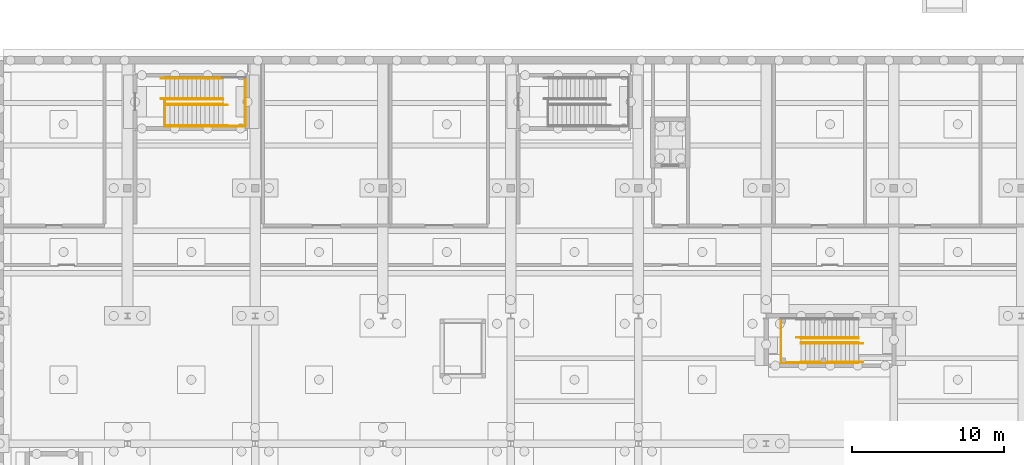
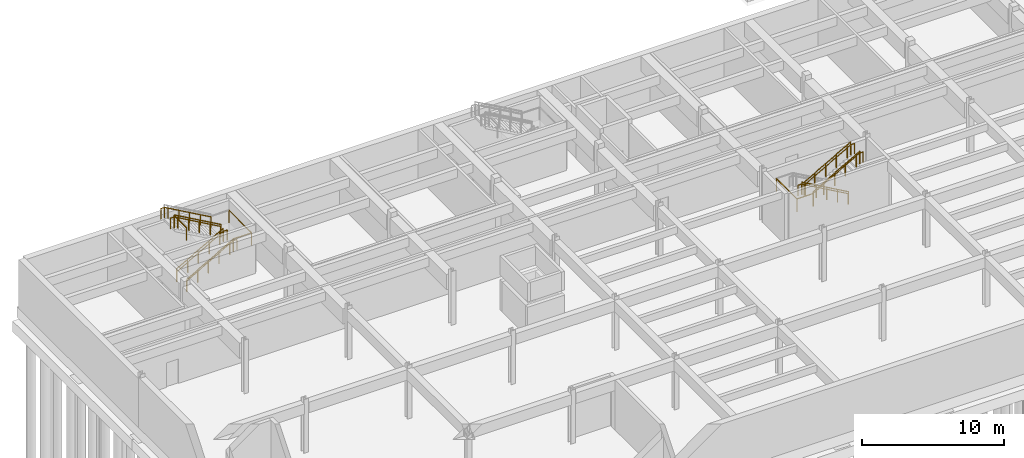
# One storey, part 28 of 33: 18 railings.
"""IFC4 building model written with IfcOpenShell, lengths in metres."""

from ifc_helpers import new_model, si_unit, direction, frame, origin, origin_2d, place, context, subcontext, project, spatial, circle, extrude, material, type_object, element, save


model = new_model("IFC4")

# Units and contexts
model_context = context("Model", 3, precision=1e-05, world=origin(), true_north=direction((0.0, 1.0)))
body_context = subcontext(model_context, "Body", "Model", "MODEL_VIEW")
ifc_project = project(units=[si_unit("LENGTHUNIT", "METRE"), si_unit("AREAUNIT", "SQUARE_METRE"), si_unit("VOLUMEUNIT", "CUBIC_METRE"), si_unit("PLANEANGLEUNIT", "RADIAN"), si_unit("MASSUNIT", "GRAM", prefix="KILO")], contexts=[model_context])

# Site, building, storey
site_placement = place(None, origin())
site = spatial("IfcSite", under=ifc_project, at=site_placement, CompositionType="ELEMENT")
building_placement = place(site_placement, origin())
building = spatial("IfcBuilding", under=site, at=building_placement, Name="Ljudholm Concert House", CompositionType="ELEMENT")
storey_placement = place(building_placement, frame((0.0, 0.0, -4.60009765625)))
storey = spatial("IfcBuildingStorey", under=building, at=storey_placement, Name="B1", CompositionType="ELEMENT", Elevation=-4.60009765625)

# Railings
ifc_material_1 = material(Name="Steel ASTM A36", Category="steel")
railing_type_1 = type_object("IfcRailingType", Name="GUARD 1100", PredefinedType="GUARDRAIL", material=ifc_material_1)
railing_1_placement = place(storey_placement, frame((14.89990234375, 143.925048828125, 0.164306640625)))
element("IfcRailing", 1, at=railing_1_placement, inside=storey, type_object=railing_type_1, Name="Guard", PredefinedType="GUARDRAIL", context=body_context, shape_type="SweptSolid", body=[
    extrude(circle(Radius=0.02490234375, at=origin_2d()), frame((0.0, 0.0, 1.0751953125), z_axis=(0.870085008278, 0.0, 0.4929016924), x_axis=(0.0, 1.0, 0.0)), (0.0, 0.0, 1.0), 1.0),
    extrude(circle(Radius=0.02490234375, at=origin_2d()), frame((0.8701171875, 0.0, 1.56787109375), z_axis=(0.870025677096, 0.0, 0.493006410906), x_axis=(0.0, 1.0, 0.0)), (0.0, 0.0, 1.0), 0.999755859375),
    extrude(circle(Radius=0.02490234375, at=origin_2d()), frame((1.739990234375, 0.0, 2.06103515625), z_axis=(0.870085008278, 0.0, 0.4929016924), x_axis=(0.0, 1.0, 0.0)), (0.0, 0.0, 1.0), 1.0),
    extrude(circle(Radius=0.02490234375, at=origin_2d()), frame((2.610107421875, 0.0, 2.5537109375), z_axis=(0.870130407247, 0.0, 0.492821544155), x_axis=(0.0, 1.0, 0.0)), (0.0, 0.0, 1.0), 0.999755859375),
    extrude(circle(Radius=0.02490234375, at=origin_2d()), frame((3.47998046875, 0.0, 3.04638671875), z_axis=(0.870085008278, 0.0, 0.4929016924), x_axis=(0.0, 1.0, 0.0)), (0.0, 0.0, 1.0), 0.333251953125),
    extrude(circle(Radius=0.02099609375, at=origin_2d()), origin(), (0.0, 0.0, 1.0), 1.050048828125),
    extrude(circle(Radius=0.02099609375, at=origin_2d()), frame((0.8701171875, 0.0, 0.492919921875)), (0.0, 0.0, 1.0), 1.050048828125),
    extrude(circle(Radius=0.02099609375, at=origin_2d()), frame((1.739990234375, 0.0, 0.98583984375)), (0.0, 0.0, 1.0), 1.050048828125),
    extrude(circle(Radius=0.02099609375, at=origin_2d()), frame((2.610107421875, 0.0, 1.478759765625)), (0.0, 0.0, 1.0), 1.050048828125),
    extrude(circle(Radius=0.02099609375, at=origin_2d()), frame((3.47998046875, 0.0, 1.971435546875)), (0.0, 0.0, 1.0), 1.050048828125),
    extrude(circle(Radius=0.02099609375, at=origin_2d()), frame((3.77001953125, 0.0, 2.1357421875)), (0.0, 0.0, 1.0), 1.050048828125),
])
railing_2_placement = place(storey_placement, frame((14.89990234375, 142.47509765625, 0.164306640625)))
element("IfcRailing", 2, at=railing_2_placement, inside=storey, type_object=railing_type_1, Name="Guard", PredefinedType="GUARDRAIL", context=body_context, shape_type="SweptSolid", body=[
    extrude(circle(Radius=0.02490234375, at=origin_2d()), frame((0.0, 0.0, 1.0751953125), z_axis=(0.870085008278, 0.0, 0.4929016924), x_axis=(0.0, 1.0, 0.0)), (0.0, 0.0, 1.0), 1.0),
    extrude(circle(Radius=0.02490234375, at=origin_2d()), frame((0.8701171875, 0.0, 1.56787109375), z_axis=(0.870025677096, 0.0, 0.493006410906), x_axis=(0.0, 1.0, 0.0)), (0.0, 0.0, 1.0), 0.999755859375),
    extrude(circle(Radius=0.02490234375, at=origin_2d()), frame((1.739990234375, 0.0, 2.06103515625), z_axis=(0.870085008278, 0.0, 0.4929016924), x_axis=(0.0, 1.0, 0.0)), (0.0, 0.0, 1.0), 1.0),
    extrude(circle(Radius=0.02490234375, at=origin_2d()), frame((2.610107421875, 0.0, 2.5537109375), z_axis=(0.870130407247, 0.0, 0.492821544155), x_axis=(0.0, 1.0, 0.0)), (0.0, 0.0, 1.0), 0.999755859375),
    extrude(circle(Radius=0.02490234375, at=origin_2d()), frame((3.47998046875, 0.0, 3.04638671875), z_axis=(0.870085008278, 0.0, 0.4929016924), x_axis=(0.0, 1.0, 0.0)), (0.0, 0.0, 1.0), 0.333251953125),
    extrude(circle(Radius=0.02099609375, at=origin_2d()), origin(), (0.0, 0.0, 1.0), 1.050048828125),
    extrude(circle(Radius=0.02099609375, at=origin_2d()), frame((0.8701171875, 0.0, 0.492919921875)), (0.0, 0.0, 1.0), 1.050048828125),
    extrude(circle(Radius=0.02099609375, at=origin_2d()), frame((1.739990234375, 0.0, 0.98583984375)), (0.0, 0.0, 1.0), 1.050048828125),
    extrude(circle(Radius=0.02099609375, at=origin_2d()), frame((2.610107421875, 0.0, 1.478759765625)), (0.0, 0.0, 1.0), 1.050048828125),
    extrude(circle(Radius=0.02099609375, at=origin_2d()), frame((3.47998046875, 0.0, 1.971435546875)), (0.0, 0.0, 1.0), 1.050048828125),
    extrude(circle(Radius=0.02099609375, at=origin_2d()), frame((3.77001953125, 0.0, 2.1357421875)), (0.0, 0.0, 1.0), 1.050048828125),
])
railing_3_placement = place(storey_placement, frame((18.669921875, 144.22509765625, 2.46435546875)))
element("IfcRailing", 3, at=railing_3_placement, inside=storey, type_object=railing_type_1, Name="Guard", PredefinedType="GUARDRAIL", context=body_context, shape_type="SweptSolid", body=[
    extrude(circle(Radius=0.02490234375, at=origin_2d()), frame((0.0, 0.0, 1.0751953125), z_axis=(-0.870025677096, 0.0, 0.493006410906), x_axis=(0.0, -1.0, 0.0)), (0.0, 0.0, 1.0), 0.999755859375),
    extrude(circle(Radius=0.02490234375, at=origin_2d()), frame((-0.869873046875, 0.0, 1.56787109375), z_axis=(-0.870085008278, 0.0, 0.4929016924), x_axis=(0.0, -1.0, 0.0)), (0.0, 0.0, 1.0), 1.0),
    extrude(circle(Radius=0.02490234375, at=origin_2d()), frame((-1.739990234375, 0.0, 2.06103515625), z_axis=(-0.870130407247, 0.0, 0.492821544155), x_axis=(0.0, -1.0, 0.0)), (0.0, 0.0, 1.0), 0.999755859375),
    extrude(circle(Radius=0.02490234375, at=origin_2d()), frame((-2.60986328125, 0.0, 2.5537109375), z_axis=(-0.870085008278, 0.0, 0.4929016924), x_axis=(0.0, -1.0, 0.0)), (0.0, 0.0, 1.0), 1.0),
    extrude(circle(Radius=0.02490234375, at=origin_2d()), frame((-3.47998046875, 0.0, 3.04638671875), z_axis=(-0.870085008278, 0.0, 0.4929016924), x_axis=(0.0, -1.0, 0.0)), (0.0, 0.0, 1.0), 0.333251953125),
    extrude(circle(Radius=0.02099609375, at=origin_2d()), origin(), (0.0, 0.0, 1.0), 1.050048828125),
    extrude(circle(Radius=0.02099609375, at=origin_2d()), frame((-0.869873046875, 0.0, 0.492919921875)), (0.0, 0.0, 1.0), 1.050048828125),
    extrude(circle(Radius=0.02099609375, at=origin_2d()), frame((-1.739990234375, 0.0, 0.98583984375)), (0.0, 0.0, 1.0), 1.050048828125),
    extrude(circle(Radius=0.02099609375, at=origin_2d()), frame((-2.60986328125, 0.0, 1.478515625)), (0.0, 0.0, 1.0), 1.050048828125),
    extrude(circle(Radius=0.02099609375, at=origin_2d()), frame((-3.47998046875, 0.0, 1.971435546875)), (0.0, 0.0, 1.0), 1.050048828125),
    extrude(circle(Radius=0.02099609375, at=origin_2d()), frame((-3.77001953125, 0.0, 2.1357421875)), (0.0, 0.0, 1.0), 1.050048828125),
])
railing_4_placement = place(storey_placement, frame((14.85009765625, 142.449951171875, 4.60009765625)))
element("IfcRailing", 4, at=railing_4_placement, inside=storey, type_object=railing_type_1, Name="Guard", PredefinedType="GUARDRAIL", context=body_context, shape_type="SweptSolid", body=[
    extrude(circle(Radius=0.02490234375, at=origin_2d()), frame((0.0, 0.0, 1.0751953125), z_axis=(0.0, 1.0, 0.0), x_axis=(-1.0, 0.0, 0.0)), (0.0, 0.0, 1.0), 1.75),
    extrude(circle(Radius=0.02099609375, at=origin_2d()), origin(), (0.0, 0.0, 1.0), 1.050048828125),
    extrude(circle(Radius=0.02099609375, at=origin_2d()), frame((0.0, 1.75, 0.0)), (0.0, 0.0, 1.0), 1.050048828125),
])
railing_5_placement = place(storey_placement, frame((18.669921875, 142.47509765625, 2.300048828125)))
element("IfcRailing", 5, at=railing_5_placement, inside=storey, type_object=railing_type_1, Name="Guard", PredefinedType="GUARDRAIL", context=body_context, shape_type="SweptSolid", body=[
    extrude(circle(Radius=0.02490234375, at=origin_2d()), frame((0.0, 0.0, 1.0751953125), z_axis=(1.0, 0.0, 0.0), x_axis=(0.0, 1.0, 0.0)), (0.0, 0.0, 1.0), 1.47509765625),
    extrude(circle(Radius=0.02099609375, at=origin_2d()), origin(), (0.0, 0.0, 1.0), 1.050048828125),
    extrude(circle(Radius=0.02099609375, at=origin_2d()), frame((1.47509765625, 0.0, 0.0)), (0.0, 0.0, 1.0), 1.050048828125),
])
railing_6_placement = place(storey_placement, frame((20.14501953125, 142.47509765625, 2.300048828125)))
element("IfcRailing", 6, at=railing_6_placement, inside=storey, type_object=railing_type_1, Name="Guard", PredefinedType="GUARDRAIL", context=body_context, shape_type="SweptSolid", body=[
    extrude(circle(Radius=0.02490234375, at=origin_2d()), frame((0.0, 0.0, 1.0751953125), z_axis=(0.0, 1.0, 0.0), x_axis=(-1.0, 0.0, 0.0)), (0.0, 0.0, 1.0), 3.199951171875),
    extrude(circle(Radius=0.02099609375, at=origin_2d()), origin(), (0.0, 0.0, 1.0), 1.050048828125),
    extrude(circle(Radius=0.02099609375, at=origin_2d()), frame((0.0, 3.199951171875, 0.0)), (0.0, 0.0, 1.0), 1.050048828125),
])
railing_7_placement = place(storey_placement, frame((60.47509765625, 128.52490234375, 0.164306640625)))
element("IfcRailing", 7, at=railing_7_placement, inside=storey, type_object=railing_type_1, Name="Guard", PredefinedType="GUARDRAIL", context=body_context, shape_type="SweptSolid", body=[
    extrude(circle(Radius=0.02490234375, at=origin_2d()), frame((0.0, 0.0, 1.0751953125), z_axis=(-0.870085008278, 0.0, 0.4929016924), x_axis=(0.0, -1.0, 0.0)), (0.0, 0.0, 1.0), 1.0),
    extrude(circle(Radius=0.02490234375, at=origin_2d()), frame((-0.8701171875, 0.0, 1.56787109375), z_axis=(-0.870025677096, 0.0, 0.493006410906), x_axis=(0.0, -1.0, 0.0)), (0.0, 0.0, 1.0), 0.999755859375),
    extrude(circle(Radius=0.02490234375, at=origin_2d()), frame((-1.739990234375, 0.0, 2.06103515625), z_axis=(-0.870085008278, 0.0, 0.4929016924), x_axis=(0.0, -1.0, 0.0)), (0.0, 0.0, 1.0), 1.0),
    extrude(circle(Radius=0.02490234375, at=origin_2d()), frame((-2.610107421875, 0.0, 2.5537109375), z_axis=(-0.870130407247, 0.0, 0.492821544155), x_axis=(0.0, -1.0, 0.0)), (0.0, 0.0, 1.0), 0.999755859375),
    extrude(circle(Radius=0.02490234375, at=origin_2d()), frame((-3.47998046875, 0.0, 3.04638671875), z_axis=(-0.870085008278, 0.0, 0.4929016924), x_axis=(0.0, -1.0, 0.0)), (0.0, 0.0, 1.0), 0.333251953125),
    extrude(circle(Radius=0.02099609375, at=origin_2d()), origin(), (0.0, 0.0, 1.0), 1.050048828125),
    extrude(circle(Radius=0.02099609375, at=origin_2d()), frame((-0.8701171875, 0.0, 0.492919921875)), (0.0, 0.0, 1.0), 1.050048828125),
    extrude(circle(Radius=0.02099609375, at=origin_2d()), frame((-1.739990234375, 0.0, 0.98583984375)), (0.0, 0.0, 1.0), 1.050048828125),
    extrude(circle(Radius=0.02099609375, at=origin_2d()), frame((-2.610107421875, 0.0, 1.478759765625)), (0.0, 0.0, 1.0), 1.050048828125),
    extrude(circle(Radius=0.02099609375, at=origin_2d()), frame((-3.47998046875, 0.0, 1.971435546875)), (0.0, 0.0, 1.0), 1.050048828125),
    extrude(circle(Radius=0.02099609375, at=origin_2d()), frame((-3.77001953125, 0.0, 2.1357421875)), (0.0, 0.0, 1.0), 1.050048828125),
])
railing_8_placement = place(storey_placement, frame((56.705078125, 128.22509765625, 2.46435546875)))
element("IfcRailing", 8, at=railing_8_placement, inside=storey, type_object=railing_type_1, Name="Guard", PredefinedType="GUARDRAIL", context=body_context, shape_type="SweptSolid", body=[
    extrude(circle(Radius=0.02490234375, at=origin_2d()), frame((0.0, 0.0, 1.0751953125), z_axis=(0.870025677096, 0.0, 0.493006410906), x_axis=(0.0, 1.0, 0.0)), (0.0, 0.0, 1.0), 0.999755859375),
    extrude(circle(Radius=0.02490234375, at=origin_2d()), frame((0.869873046875, 0.0, 1.56787109375), z_axis=(0.870085008278, 0.0, 0.4929016924), x_axis=(0.0, 1.0, 0.0)), (0.0, 0.0, 1.0), 1.0),
    extrude(circle(Radius=0.02490234375, at=origin_2d()), frame((1.739990234375, 0.0, 2.06103515625), z_axis=(0.870130407247, 0.0, 0.492821544155), x_axis=(0.0, 1.0, 0.0)), (0.0, 0.0, 1.0), 0.999755859375),
    extrude(circle(Radius=0.02490234375, at=origin_2d()), frame((2.60986328125, 0.0, 2.5537109375), z_axis=(0.870085008278, 0.0, 0.4929016924), x_axis=(0.0, 1.0, 0.0)), (0.0, 0.0, 1.0), 1.0),
    extrude(circle(Radius=0.02490234375, at=origin_2d()), frame((3.47998046875, 0.0, 3.04638671875), z_axis=(0.870085008278, 0.0, 0.4929016924), x_axis=(0.0, 1.0, 0.0)), (0.0, 0.0, 1.0), 0.333251953125),
    extrude(circle(Radius=0.02099609375, at=origin_2d()), origin(), (0.0, 0.0, 1.0), 1.050048828125),
    extrude(circle(Radius=0.02099609375, at=origin_2d()), frame((0.869873046875, 0.0, 0.492919921875)), (0.0, 0.0, 1.0), 1.050048828125),
    extrude(circle(Radius=0.02099609375, at=origin_2d()), frame((1.739990234375, 0.0, 0.98583984375)), (0.0, 0.0, 1.0), 1.050048828125),
    extrude(circle(Radius=0.02099609375, at=origin_2d()), frame((2.60986328125, 0.0, 1.478515625)), (0.0, 0.0, 1.0), 1.050048828125),
    extrude(circle(Radius=0.02099609375, at=origin_2d()), frame((3.47998046875, 0.0, 1.971435546875)), (0.0, 0.0, 1.0), 1.050048828125),
    extrude(circle(Radius=0.02099609375, at=origin_2d()), frame((3.77001953125, 0.0, 2.1357421875)), (0.0, 0.0, 1.0), 1.050048828125),
])
railing_9_placement = place(storey_placement, frame((56.705078125, 126.925048828125, 2.46435546875)))
element("IfcRailing", 9, at=railing_9_placement, inside=storey, type_object=railing_type_1, Name="Guard", PredefinedType="GUARDRAIL", context=body_context, shape_type="SweptSolid", body=[
    extrude(circle(Radius=0.02490234375, at=origin_2d()), frame((0.0, 0.0, 1.0751953125), z_axis=(0.870025677096, 0.0, 0.493006410906), x_axis=(0.0, 1.0, 0.0)), (0.0, 0.0, 1.0), 0.999755859375),
    extrude(circle(Radius=0.02490234375, at=origin_2d()), frame((0.869873046875, 0.0, 1.56787109375), z_axis=(0.870085008278, 0.0, 0.4929016924), x_axis=(0.0, 1.0, 0.0)), (0.0, 0.0, 1.0), 1.0),
    extrude(circle(Radius=0.02490234375, at=origin_2d()), frame((1.739990234375, 0.0, 2.06103515625), z_axis=(0.870130407247, 0.0, 0.492821544155), x_axis=(0.0, 1.0, 0.0)), (0.0, 0.0, 1.0), 0.999755859375),
    extrude(circle(Radius=0.02490234375, at=origin_2d()), frame((2.60986328125, 0.0, 2.5537109375), z_axis=(0.870085008278, 0.0, 0.4929016924), x_axis=(0.0, 1.0, 0.0)), (0.0, 0.0, 1.0), 1.0),
    extrude(circle(Radius=0.02490234375, at=origin_2d()), frame((3.47998046875, 0.0, 3.04638671875), z_axis=(0.870085008278, 0.0, 0.4929016924), x_axis=(0.0, 1.0, 0.0)), (0.0, 0.0, 1.0), 0.333251953125),
    extrude(circle(Radius=0.02099609375, at=origin_2d()), origin(), (0.0, 0.0, 1.0), 1.050048828125),
    extrude(circle(Radius=0.02099609375, at=origin_2d()), frame((0.869873046875, 0.0, 0.492919921875)), (0.0, 0.0, 1.0), 1.050048828125),
    extrude(circle(Radius=0.02099609375, at=origin_2d()), frame((1.739990234375, 0.0, 0.98583984375)), (0.0, 0.0, 1.0), 1.050048828125),
    extrude(circle(Radius=0.02099609375, at=origin_2d()), frame((2.60986328125, 0.0, 1.478515625)), (0.0, 0.0, 1.0), 1.050048828125),
    extrude(circle(Radius=0.02099609375, at=origin_2d()), frame((3.47998046875, 0.0, 1.971435546875)), (0.0, 0.0, 1.0), 1.050048828125),
    extrude(circle(Radius=0.02099609375, at=origin_2d()), frame((3.77001953125, 0.0, 2.1357421875)), (0.0, 0.0, 1.0), 1.050048828125),
])
railing_10_placement = place(storey_placement, frame((56.705078125, 126.925048828125, 2.300048828125)))
element("IfcRailing", 10, at=railing_10_placement, inside=storey, type_object=railing_type_1, Name="Guard", PredefinedType="GUARDRAIL", context=body_context, shape_type="SweptSolid", body=[
    extrude(circle(Radius=0.02490234375, at=origin_2d()), frame((0.0, 0.0, 1.0751953125), z_axis=(-1.0, 0.0, 0.0), x_axis=(0.0, -1.0, 0.0)), (0.0, 0.0, 1.0), 1.3251953125),
    extrude(circle(Radius=0.02099609375, at=origin_2d()), origin(), (0.0, 0.0, 1.0), 1.050048828125),
    extrude(circle(Radius=0.02099609375, at=origin_2d()), frame((-1.3251953125, 0.0, 0.0)), (0.0, 0.0, 1.0), 1.050048828125),
])
railing_11_placement = place(storey_placement, frame((55.3798828125, 129.824951171875, 2.300048828125)))
element("IfcRailing", 11, at=railing_11_placement, inside=storey, type_object=railing_type_1, Name="Guard", PredefinedType="GUARDRAIL", context=body_context, shape_type="SweptSolid", body=[
    extrude(circle(Radius=0.02490234375, at=origin_2d()), frame((0.0, 0.0, 1.0751953125), z_axis=(0.0, -1.0, 0.0), x_axis=(1.0, 0.0, 0.0)), (0.0, 0.0, 1.0), 2.89990234375),
    extrude(circle(Radius=0.02099609375, at=origin_2d()), origin(), (0.0, 0.0, 1.0), 1.050048828125),
    extrude(circle(Radius=0.02099609375, at=origin_2d()), frame((0.0, -2.89990234375, 0.0)), (0.0, 0.0, 1.0), 1.050048828125),
])
ifc_material_2 = material(Name="Steel ASTM A36", Category="steel")
railing_type_2 = type_object("IfcRailingType", Name="HANDRAIL 900", PredefinedType="HANDRAIL", material=ifc_material_2)
railing_12_placement = place(storey_placement, frame((14.89990234375, 143.875, 0.164306640625)))
element("IfcRailing", 12, at=railing_12_placement, inside=storey, type_object=railing_type_2, Name="Handrail", PredefinedType="HANDRAIL", context=body_context, shape_type="SweptSolid", body=[
    extrude(circle(Radius=0.0224609375, at=origin_2d()), frame((0.0, 0.0, 0.87744140625), z_axis=(0.870085008278, 0.0, 0.4929016924), x_axis=(0.0, 1.0, 0.0)), (0.0, 0.0, 1.0), 1.0),
    extrude(circle(Radius=0.0224609375, at=origin_2d()), frame((0.8701171875, 0.0, 1.370361328125), z_axis=(0.870025677096, 0.0, 0.493006410906), x_axis=(0.0, 1.0, 0.0)), (0.0, 0.0, 1.0), 0.999755859375),
    extrude(circle(Radius=0.0224609375, at=origin_2d()), frame((1.739990234375, 0.0, 1.86328125), z_axis=(0.870085008278, 0.0, 0.4929016924), x_axis=(0.0, 1.0, 0.0)), (0.0, 0.0, 1.0), 1.0),
    extrude(circle(Radius=0.0224609375, at=origin_2d()), frame((2.610107421875, 0.0, 2.356201171875), z_axis=(0.870130407247, 0.0, 0.492821544155), x_axis=(0.0, 1.0, 0.0)), (0.0, 0.0, 1.0), 0.999755859375),
    extrude(circle(Radius=0.0224609375, at=origin_2d()), frame((3.47998046875, 0.0, 2.848876953125), z_axis=(0.870085008278, 0.0, 0.4929016924), x_axis=(0.0, 1.0, 0.0)), (0.0, 0.0, 1.0), 0.333251953125),
    extrude(circle(Radius=0.0224609375, at=origin_2d()), frame((3.77001953125, 0.0, 3.01318359375), z_axis=(1.0, 0.0, 0.0), x_axis=(0.0, 1.0, 0.0)), (0.0, 0.0, 1.0), 0.300048828125),
    extrude(circle(Radius=0.02099609375, at=origin_2d()), origin(), (0.0, 0.0, 1.0), 0.85498046875),
    extrude(circle(Radius=0.02099609375, at=origin_2d()), frame((0.8701171875, 0.0, 0.492919921875)), (0.0, 0.0, 1.0), 0.85498046875),
    extrude(circle(Radius=0.02099609375, at=origin_2d()), frame((1.739990234375, 0.0, 0.98583984375)), (0.0, 0.0, 1.0), 0.85498046875),
    extrude(circle(Radius=0.02099609375, at=origin_2d()), frame((2.610107421875, 0.0, 1.478759765625)), (0.0, 0.0, 1.0), 0.85498046875),
    extrude(circle(Radius=0.02099609375, at=origin_2d()), frame((3.47998046875, 0.0, 1.971435546875)), (0.0, 0.0, 1.0), 0.85498046875),
    extrude(circle(Radius=0.02099609375, at=origin_2d()), frame((3.77001953125, 0.0, 2.1357421875)), (0.0, 0.0, 1.0), 0.85498046875),
    extrude(circle(Radius=0.02099609375, at=origin_2d()), frame((4.070068359375, 0.0, 2.1357421875)), (0.0, 0.0, 1.0), 0.85498046875),
])
railing_13_placement = place(storey_placement, frame((14.89990234375, 142.52490234375, 0.164306640625)))
element("IfcRailing", 13, at=railing_13_placement, inside=storey, type_object=railing_type_2, Name="Handrail", PredefinedType="HANDRAIL", context=body_context, shape_type="SweptSolid", body=[
    extrude(circle(Radius=0.0224609375, at=origin_2d()), frame((0.0, 0.0, 0.87744140625), z_axis=(0.870085008278, 0.0, 0.4929016924), x_axis=(0.0, 1.0, 0.0)), (0.0, 0.0, 1.0), 1.0),
    extrude(circle(Radius=0.0224609375, at=origin_2d()), frame((0.8701171875, 0.0, 1.370361328125), z_axis=(0.870025677096, 0.0, 0.493006410906), x_axis=(0.0, 1.0, 0.0)), (0.0, 0.0, 1.0), 0.999755859375),
    extrude(circle(Radius=0.0224609375, at=origin_2d()), frame((1.739990234375, 0.0, 1.86328125), z_axis=(0.870085008278, 0.0, 0.4929016924), x_axis=(0.0, 1.0, 0.0)), (0.0, 0.0, 1.0), 1.0),
    extrude(circle(Radius=0.0224609375, at=origin_2d()), frame((2.610107421875, 0.0, 2.356201171875), z_axis=(0.870130407247, 0.0, 0.492821544155), x_axis=(0.0, 1.0, 0.0)), (0.0, 0.0, 1.0), 0.999755859375),
    extrude(circle(Radius=0.0224609375, at=origin_2d()), frame((3.47998046875, 0.0, 2.848876953125), z_axis=(0.870085008278, 0.0, 0.4929016924), x_axis=(0.0, 1.0, 0.0)), (0.0, 0.0, 1.0), 0.333251953125),
    extrude(circle(Radius=0.0224609375, at=origin_2d()), frame((3.77001953125, 0.0, 3.01318359375), z_axis=(1.0, 0.0, 0.0), x_axis=(0.0, 1.0, 0.0)), (0.0, 0.0, 1.0), 0.300048828125),
    extrude(circle(Radius=0.02099609375, at=origin_2d()), origin(), (0.0, 0.0, 1.0), 0.85498046875),
    extrude(circle(Radius=0.02099609375, at=origin_2d()), frame((0.8701171875, 0.0, 0.492919921875)), (0.0, 0.0, 1.0), 0.85498046875),
    extrude(circle(Radius=0.02099609375, at=origin_2d()), frame((1.739990234375, 0.0, 0.98583984375)), (0.0, 0.0, 1.0), 0.85498046875),
    extrude(circle(Radius=0.02099609375, at=origin_2d()), frame((2.610107421875, 0.0, 1.478759765625)), (0.0, 0.0, 1.0), 0.85498046875),
    extrude(circle(Radius=0.02099609375, at=origin_2d()), frame((3.47998046875, 0.0, 1.971435546875)), (0.0, 0.0, 1.0), 0.85498046875),
    extrude(circle(Radius=0.02099609375, at=origin_2d()), frame((3.77001953125, 0.0, 2.1357421875)), (0.0, 0.0, 1.0), 0.85498046875),
    extrude(circle(Radius=0.02099609375, at=origin_2d()), frame((4.070068359375, 0.0, 2.1357421875)), (0.0, 0.0, 1.0), 0.85498046875),
])
railing_14_placement = place(storey_placement, frame((18.669921875, 144.27490234375, 2.46435546875)))
element("IfcRailing", 14, at=railing_14_placement, inside=storey, type_object=railing_type_2, Name="Handrail", PredefinedType="HANDRAIL", context=body_context, shape_type="SweptSolid", body=[
    extrude(circle(Radius=0.0224609375, at=origin_2d()), frame((0.0, 0.0, 0.87744140625), z_axis=(-0.870025677096, 0.0, 0.493006410906), x_axis=(0.0, -1.0, 0.0)), (0.0, 0.0, 1.0), 0.999755859375),
    extrude(circle(Radius=0.0224609375, at=origin_2d()), frame((-0.869873046875, 0.0, 1.370361328125), z_axis=(-0.870085008278, 0.0, 0.4929016924), x_axis=(0.0, -1.0, 0.0)), (0.0, 0.0, 1.0), 1.0),
    extrude(circle(Radius=0.0224609375, at=origin_2d()), frame((-1.739990234375, 0.0, 1.86328125), z_axis=(-0.870130407247, 0.0, 0.492821544155), x_axis=(0.0, -1.0, 0.0)), (0.0, 0.0, 1.0), 0.999755859375),
    extrude(circle(Radius=0.0224609375, at=origin_2d()), frame((-2.60986328125, 0.0, 2.35595703125), z_axis=(-0.870085008278, 0.0, 0.4929016924), x_axis=(0.0, -1.0, 0.0)), (0.0, 0.0, 1.0), 1.0),
    extrude(circle(Radius=0.0224609375, at=origin_2d()), frame((-3.47998046875, 0.0, 2.848876953125), z_axis=(-0.870085008278, 0.0, 0.4929016924), x_axis=(0.0, -1.0, 0.0)), (0.0, 0.0, 1.0), 0.333251953125),
    extrude(circle(Radius=0.0224609375, at=origin_2d()), frame((-3.77001953125, 0.0, 3.01318359375), z_axis=(-1.0, 0.0, 0.0), x_axis=(0.0, -1.0, 0.0)), (0.0, 0.0, 1.0), 0.2998046875),
    extrude(circle(Radius=0.02099609375, at=origin_2d()), origin(), (0.0, 0.0, 1.0), 0.85498046875),
    extrude(circle(Radius=0.02099609375, at=origin_2d()), frame((-0.869873046875, 0.0, 0.492919921875)), (0.0, 0.0, 1.0), 0.85498046875),
    extrude(circle(Radius=0.02099609375, at=origin_2d()), frame((-1.739990234375, 0.0, 0.98583984375)), (0.0, 0.0, 1.0), 0.85498046875),
    extrude(circle(Radius=0.02099609375, at=origin_2d()), frame((-2.60986328125, 0.0, 1.478515625)), (0.0, 0.0, 1.0), 0.85498046875),
    extrude(circle(Radius=0.02099609375, at=origin_2d()), frame((-3.47998046875, 0.0, 1.971435546875)), (0.0, 0.0, 1.0), 0.85498046875),
    extrude(circle(Radius=0.02099609375, at=origin_2d()), frame((-3.77001953125, 0.0, 2.1357421875)), (0.0, 0.0, 1.0), 0.85498046875),
    extrude(circle(Radius=0.02099609375, at=origin_2d()), frame((-4.06982421875, 0.0, 2.1357421875)), (0.0, 0.0, 1.0), 0.85498046875),
])
railing_15_placement = place(storey_placement, frame((18.669921875, 145.625, 2.46435546875)))
element("IfcRailing", 15, at=railing_15_placement, inside=storey, type_object=railing_type_2, Name="Handrail", PredefinedType="HANDRAIL", context=body_context, shape_type="SweptSolid", body=[
    extrude(circle(Radius=0.0224609375, at=origin_2d()), frame((0.0, 0.0, 0.87744140625), z_axis=(-0.870025677096, 0.0, 0.493006410906), x_axis=(0.0, -1.0, 0.0)), (0.0, 0.0, 1.0), 0.999755859375),
    extrude(circle(Radius=0.0224609375, at=origin_2d()), frame((-0.869873046875, 0.0, 1.370361328125), z_axis=(-0.870085008278, 0.0, 0.4929016924), x_axis=(0.0, -1.0, 0.0)), (0.0, 0.0, 1.0), 1.0),
    extrude(circle(Radius=0.0224609375, at=origin_2d()), frame((-1.739990234375, 0.0, 1.86328125), z_axis=(-0.870130407247, 0.0, 0.492821544155), x_axis=(0.0, -1.0, 0.0)), (0.0, 0.0, 1.0), 0.999755859375),
    extrude(circle(Radius=0.0224609375, at=origin_2d()), frame((-2.60986328125, 0.0, 2.35595703125), z_axis=(-0.870085008278, 0.0, 0.4929016924), x_axis=(0.0, -1.0, 0.0)), (0.0, 0.0, 1.0), 1.0),
    extrude(circle(Radius=0.0224609375, at=origin_2d()), frame((-3.47998046875, 0.0, 2.848876953125), z_axis=(-0.870085008278, 0.0, 0.4929016924), x_axis=(0.0, -1.0, 0.0)), (0.0, 0.0, 1.0), 0.333251953125),
    extrude(circle(Radius=0.0224609375, at=origin_2d()), frame((-3.77001953125, 0.0, 3.01318359375), z_axis=(-1.0, 0.0, 0.0), x_axis=(0.0, -1.0, 0.0)), (0.0, 0.0, 1.0), 0.2998046875),
    extrude(circle(Radius=0.02099609375, at=origin_2d()), origin(), (0.0, 0.0, 1.0), 0.85498046875),
    extrude(circle(Radius=0.02099609375, at=origin_2d()), frame((-0.869873046875, 0.0, 0.492919921875)), (0.0, 0.0, 1.0), 0.85498046875),
    extrude(circle(Radius=0.02099609375, at=origin_2d()), frame((-1.739990234375, 0.0, 0.98583984375)), (0.0, 0.0, 1.0), 0.85498046875),
    extrude(circle(Radius=0.02099609375, at=origin_2d()), frame((-2.60986328125, 0.0, 1.478515625)), (0.0, 0.0, 1.0), 0.85498046875),
    extrude(circle(Radius=0.02099609375, at=origin_2d()), frame((-3.47998046875, 0.0, 1.971435546875)), (0.0, 0.0, 1.0), 0.85498046875),
    extrude(circle(Radius=0.02099609375, at=origin_2d()), frame((-3.77001953125, 0.0, 2.1357421875)), (0.0, 0.0, 1.0), 0.85498046875),
    extrude(circle(Radius=0.02099609375, at=origin_2d()), frame((-4.06982421875, 0.0, 2.1357421875)), (0.0, 0.0, 1.0), 0.85498046875),
])
railing_16_placement = place(storey_placement, frame((60.47509765625, 128.574951171875, 0.164306640625)))
element("IfcRailing", 16, at=railing_16_placement, inside=storey, type_object=railing_type_2, Name="Handrail", PredefinedType="HANDRAIL", context=body_context, shape_type="SweptSolid", body=[
    extrude(circle(Radius=0.0224609375, at=origin_2d()), frame((0.0, 0.0, 0.87744140625), z_axis=(-0.870085008278, 0.0, 0.4929016924), x_axis=(0.0, -1.0, 0.0)), (0.0, 0.0, 1.0), 1.0),
    extrude(circle(Radius=0.0224609375, at=origin_2d()), frame((-0.8701171875, 0.0, 1.370361328125), z_axis=(-0.870025677096, 0.0, 0.493006410906), x_axis=(0.0, -1.0, 0.0)), (0.0, 0.0, 1.0), 0.999755859375),
    extrude(circle(Radius=0.0224609375, at=origin_2d()), frame((-1.739990234375, 0.0, 1.86328125), z_axis=(-0.870085008278, 0.0, 0.4929016924), x_axis=(0.0, -1.0, 0.0)), (0.0, 0.0, 1.0), 1.0),
    extrude(circle(Radius=0.0224609375, at=origin_2d()), frame((-2.610107421875, 0.0, 2.356201171875), z_axis=(-0.870130407247, 0.0, 0.492821544155), x_axis=(0.0, -1.0, 0.0)), (0.0, 0.0, 1.0), 0.999755859375),
    extrude(circle(Radius=0.0224609375, at=origin_2d()), frame((-3.47998046875, 0.0, 2.848876953125), z_axis=(-0.870085008278, 0.0, 0.4929016924), x_axis=(0.0, -1.0, 0.0)), (0.0, 0.0, 1.0), 0.333251953125),
    extrude(circle(Radius=0.0224609375, at=origin_2d()), frame((-3.77001953125, 0.0, 3.01318359375), z_axis=(-1.0, 0.0, 0.0), x_axis=(0.0, -1.0, 0.0)), (0.0, 0.0, 1.0), 0.300048828125),
    extrude(circle(Radius=0.02099609375, at=origin_2d()), origin(), (0.0, 0.0, 1.0), 0.85498046875),
    extrude(circle(Radius=0.02099609375, at=origin_2d()), frame((-0.8701171875, 0.0, 0.492919921875)), (0.0, 0.0, 1.0), 0.85498046875),
    extrude(circle(Radius=0.02099609375, at=origin_2d()), frame((-1.739990234375, 0.0, 0.98583984375)), (0.0, 0.0, 1.0), 0.85498046875),
    extrude(circle(Radius=0.02099609375, at=origin_2d()), frame((-2.610107421875, 0.0, 1.478759765625)), (0.0, 0.0, 1.0), 0.85498046875),
    extrude(circle(Radius=0.02099609375, at=origin_2d()), frame((-3.47998046875, 0.0, 1.971435546875)), (0.0, 0.0, 1.0), 0.85498046875),
    extrude(circle(Radius=0.02099609375, at=origin_2d()), frame((-3.77001953125, 0.0, 2.1357421875)), (0.0, 0.0, 1.0), 0.85498046875),
    extrude(circle(Radius=0.02099609375, at=origin_2d()), frame((-4.070068359375, 0.0, 2.1357421875)), (0.0, 0.0, 1.0), 0.85498046875),
])
railing_17_placement = place(storey_placement, frame((56.705078125, 128.175048828125, 2.46435546875)))
element("IfcRailing", 17, at=railing_17_placement, inside=storey, type_object=railing_type_2, Name="Handrail", PredefinedType="HANDRAIL", context=body_context, shape_type="SweptSolid", body=[
    extrude(circle(Radius=0.0224609375, at=origin_2d()), frame((0.0, 0.0, 0.87744140625), z_axis=(0.870025677096, 0.0, 0.493006410906), x_axis=(0.0, 1.0, 0.0)), (0.0, 0.0, 1.0), 0.999755859375),
    extrude(circle(Radius=0.0224609375, at=origin_2d()), frame((0.869873046875, 0.0, 1.370361328125), z_axis=(0.870085008278, 0.0, 0.4929016924), x_axis=(0.0, 1.0, 0.0)), (0.0, 0.0, 1.0), 1.0),
    extrude(circle(Radius=0.0224609375, at=origin_2d()), frame((1.739990234375, 0.0, 1.86328125), z_axis=(0.870130407247, 0.0, 0.492821544155), x_axis=(0.0, 1.0, 0.0)), (0.0, 0.0, 1.0), 0.999755859375),
    extrude(circle(Radius=0.0224609375, at=origin_2d()), frame((2.60986328125, 0.0, 2.35595703125), z_axis=(0.870085008278, 0.0, 0.4929016924), x_axis=(0.0, 1.0, 0.0)), (0.0, 0.0, 1.0), 1.0),
    extrude(circle(Radius=0.0224609375, at=origin_2d()), frame((3.47998046875, 0.0, 2.848876953125), z_axis=(0.870085008278, 0.0, 0.4929016924), x_axis=(0.0, 1.0, 0.0)), (0.0, 0.0, 1.0), 0.333251953125),
    extrude(circle(Radius=0.0224609375, at=origin_2d()), frame((3.77001953125, 0.0, 3.01318359375), z_axis=(1.0, 0.0, 0.0), x_axis=(0.0, 1.0, 0.0)), (0.0, 0.0, 1.0), 0.2998046875),
    extrude(circle(Radius=0.02099609375, at=origin_2d()), origin(), (0.0, 0.0, 1.0), 0.85498046875),
    extrude(circle(Radius=0.02099609375, at=origin_2d()), frame((0.869873046875, 0.0, 0.492919921875)), (0.0, 0.0, 1.0), 0.85498046875),
    extrude(circle(Radius=0.02099609375, at=origin_2d()), frame((1.739990234375, 0.0, 0.98583984375)), (0.0, 0.0, 1.0), 0.85498046875),
    extrude(circle(Radius=0.02099609375, at=origin_2d()), frame((2.60986328125, 0.0, 1.478515625)), (0.0, 0.0, 1.0), 0.85498046875),
    extrude(circle(Radius=0.02099609375, at=origin_2d()), frame((3.47998046875, 0.0, 1.971435546875)), (0.0, 0.0, 1.0), 0.85498046875),
    extrude(circle(Radius=0.02099609375, at=origin_2d()), frame((3.77001953125, 0.0, 2.1357421875)), (0.0, 0.0, 1.0), 0.85498046875),
    extrude(circle(Radius=0.02099609375, at=origin_2d()), frame((4.06982421875, 0.0, 2.1357421875)), (0.0, 0.0, 1.0), 0.85498046875),
])
railing_18_placement = place(storey_placement, frame((56.705078125, 126.97509765625, 2.46435546875)))
element("IfcRailing", 18, at=railing_18_placement, inside=storey, type_object=railing_type_2, Name="Handrail", PredefinedType="HANDRAIL", context=body_context, shape_type="SweptSolid", body=[
    extrude(circle(Radius=0.0224609375, at=origin_2d()), frame((0.0, 0.0, 0.87744140625), z_axis=(0.870025677096, 0.0, 0.493006410906), x_axis=(0.0, 1.0, 0.0)), (0.0, 0.0, 1.0), 0.999755859375),
    extrude(circle(Radius=0.0224609375, at=origin_2d()), frame((0.869873046875, 0.0, 1.370361328125), z_axis=(0.870085008278, 0.0, 0.4929016924), x_axis=(0.0, 1.0, 0.0)), (0.0, 0.0, 1.0), 1.0),
    extrude(circle(Radius=0.0224609375, at=origin_2d()), frame((1.739990234375, 0.0, 1.86328125), z_axis=(0.870130407247, 0.0, 0.492821544155), x_axis=(0.0, 1.0, 0.0)), (0.0, 0.0, 1.0), 0.999755859375),
    extrude(circle(Radius=0.0224609375, at=origin_2d()), frame((2.60986328125, 0.0, 2.35595703125), z_axis=(0.870085008278, 0.0, 0.4929016924), x_axis=(0.0, 1.0, 0.0)), (0.0, 0.0, 1.0), 1.0),
    extrude(circle(Radius=0.0224609375, at=origin_2d()), frame((3.47998046875, 0.0, 2.848876953125), z_axis=(0.870085008278, 0.0, 0.4929016924), x_axis=(0.0, 1.0, 0.0)), (0.0, 0.0, 1.0), 0.333251953125),
    extrude(circle(Radius=0.0224609375, at=origin_2d()), frame((3.77001953125, 0.0, 3.01318359375), z_axis=(1.0, 0.0, 0.0), x_axis=(0.0, 1.0, 0.0)), (0.0, 0.0, 1.0), 0.2998046875),
    extrude(circle(Radius=0.02099609375, at=origin_2d()), origin(), (0.0, 0.0, 1.0), 0.85498046875),
    extrude(circle(Radius=0.02099609375, at=origin_2d()), frame((0.869873046875, 0.0, 0.492919921875)), (0.0, 0.0, 1.0), 0.85498046875),
    extrude(circle(Radius=0.02099609375, at=origin_2d()), frame((1.739990234375, 0.0, 0.98583984375)), (0.0, 0.0, 1.0), 0.85498046875),
    extrude(circle(Radius=0.02099609375, at=origin_2d()), frame((2.60986328125, 0.0, 1.478515625)), (0.0, 0.0, 1.0), 0.85498046875),
    extrude(circle(Radius=0.02099609375, at=origin_2d()), frame((3.47998046875, 0.0, 1.971435546875)), (0.0, 0.0, 1.0), 0.85498046875),
    extrude(circle(Radius=0.02099609375, at=origin_2d()), frame((3.77001953125, 0.0, 2.1357421875)), (0.0, 0.0, 1.0), 0.85498046875),
    extrude(circle(Radius=0.02099609375, at=origin_2d()), frame((4.06982421875, 0.0, 2.1357421875)), (0.0, 0.0, 1.0), 0.85498046875),
])

save(model, "model.ifc")
